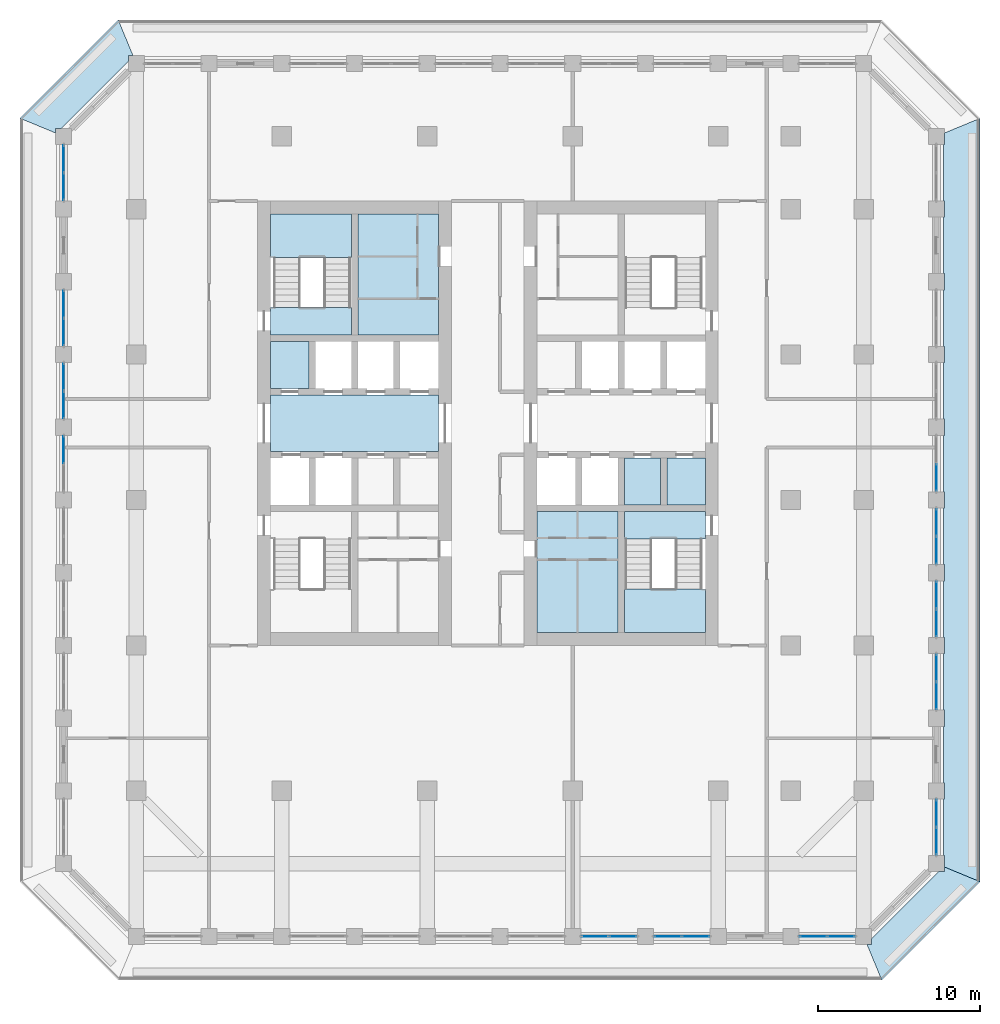
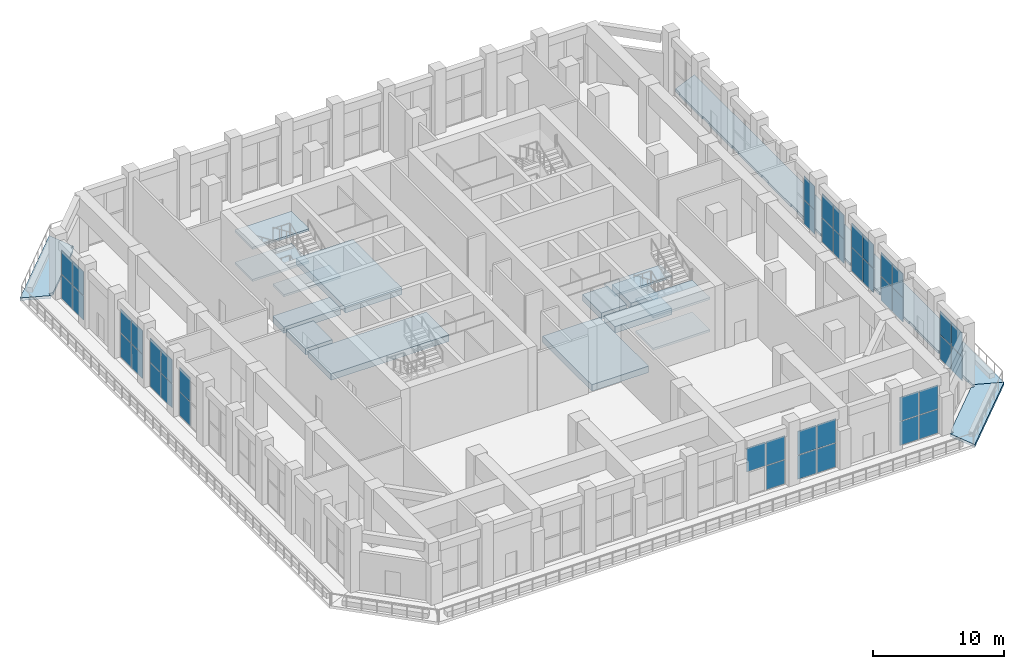
# One storey, part 11 of 25: 43 plates, 17 slabs, 14 elements without a shape of their own.
"""IFC4 building model written with IfcOpenShell, lengths in metres."""

from ifc_helpers import new_model, si_unit, direction, frame, origin, origin_2d, place, context, subcontext, project, spatial, polyline, rectangle, outline, extrude, material, layer, layer_set, type_object, element, aggregate, save


model = new_model("IFC4")

# Units and contexts
model_context = context("Model", 3, precision=1e-05, world=origin(), true_north=direction((0.0, 1.0)))
body_context = subcontext(model_context, "Body", "Model", "MODEL_VIEW")
ifc_project = project(units=[si_unit("LENGTHUNIT", "METRE"), si_unit("AREAUNIT", "SQUARE_METRE"), si_unit("VOLUMEUNIT", "CUBIC_METRE"), si_unit("PLANEANGLEUNIT", "RADIAN"), si_unit("MASSUNIT", "GRAM", prefix="KILO")], contexts=[model_context])

# Site, building, storey
site_placement = place(None, origin())
site = spatial("IfcSite", under=ifc_project, at=site_placement, CompositionType="ELEMENT")
building_placement = place(site_placement, origin())
building = spatial("IfcBuilding", under=site, at=building_placement, Name="Corbel Stack Research Tower", CompositionType="ELEMENT")
storey_placement = place(building_placement, frame((0.0, 0.0, 220.199951171875)))
storey = spatial("IfcBuildingStorey", under=building, at=storey_placement, Name="L50", CompositionType="ELEMENT", Elevation=220.199951171875)

# Curtain wall, plates
ifc_material_1 = material(Name="Aluminium frame, clear glass", Category="aluminium")
curtain_wall_type = type_object("IfcCurtainWallType", Name="Upper amenity floor curtain wall CW3", PredefinedType="NOTDEFINED", material=ifc_material_1)
curtain_wall_1_placement = place(storey_placement, origin())
curtain_wall_1 = element("IfcCurtainWall", 1, at=curtain_wall_1_placement, inside=storey, type_object=curtain_wall_type, Name="Curtain wall CW3 L50 S07", PredefinedType="NOTDEFINED")
ifc_material_2 = material(Name="Low-emissivity glass", Category="glass")
ifc_layer_1 = layer(ifc_material_2, 0.035888671875)
ifc_layer_set_1 = layer_set([ifc_layer_1], Name="Low-emissivity glass")
plate_type = type_object("IfcPlateType", Name="Low-emissivity glazing 36", PredefinedType="CURTAIN_PANEL", material=ifc_layer_set_1)
plate_1_placement = place(storey_placement, frame((10.389892578125, -27.0, 2.330078125), z_axis=(0.0, 0.0, 1.0), x_axis=(1.0, 0.0, 0.0)))
plate_1 = element("IfcPlate", 2, at=plate_1_placement, type_object=plate_type, Name="CW3 panel 1.2", PredefinedType="CURTAIN_PANEL", context=body_context, shape_type="SweptSolid", body=[
    extrude(rectangle(XDim=1.659912109375, YDim=0.035888671875, at=origin_2d()), origin(), (0.0, 0.0, 1.0), 2.2099609375),
])
plate_2_placement = place(storey_placement, frame((12.110107421875, -27.0, 0.06005859375), z_axis=(0.0, 0.0, 1.0), x_axis=(1.0, 0.0, 0.0)))
plate_2 = element("IfcPlate", 3, at=plate_2_placement, type_object=plate_type, Name="CW3 panel 2.1", PredefinedType="CURTAIN_PANEL", context=body_context, shape_type="SweptSolid", body=[
    extrude(rectangle(XDim=1.659912109375, YDim=0.035888671875, at=origin_2d()), origin(), (0.0, 0.0, 1.0), 2.2099609375),
])
plate_3_placement = place(storey_placement, frame((12.110107421875, -27.0, 2.330078125), z_axis=(0.0, 0.0, 1.0), x_axis=(1.0, 0.0, 0.0)))
plate_3 = element("IfcPlate", 4, at=plate_3_placement, type_object=plate_type, Name="CW3 panel 2.2", PredefinedType="CURTAIN_PANEL", context=body_context, shape_type="SweptSolid", body=[
    extrude(rectangle(XDim=1.659912109375, YDim=0.035888671875, at=origin_2d()), origin(), (0.0, 0.0, 1.0), 2.2099609375),
])
aggregate(curtain_wall_1, [plate_1, plate_2, plate_3])

curtain_wall_2_placement = place(storey_placement, origin())
curtain_wall_2 = element("IfcCurtainWall", 5, at=curtain_wall_2_placement, inside=storey, type_object=curtain_wall_type, Name="Curtain wall CW3 L50 S08", PredefinedType="NOTDEFINED")
plate_4_placement = place(storey_placement, frame((14.889892578125, -27.0, 0.06005859375), z_axis=(0.0, 0.0, 1.0), x_axis=(1.0, 0.0, 0.0)))
plate_4 = element("IfcPlate", 6, at=plate_4_placement, type_object=plate_type, Name="CW3 panel 1.1", PredefinedType="CURTAIN_PANEL", context=body_context, shape_type="SweptSolid", body=[
    extrude(rectangle(XDim=1.659912109375, YDim=0.035888671875, at=origin_2d()), origin(), (0.0, 0.0, 1.0), 2.2099609375),
])
plate_5_placement = place(storey_placement, frame((14.889892578125, -27.0, 2.330078125), z_axis=(0.0, 0.0, 1.0), x_axis=(1.0, 0.0, 0.0)))
plate_5 = element("IfcPlate", 7, at=plate_5_placement, type_object=plate_type, Name="CW3 panel 1.2", PredefinedType="CURTAIN_PANEL", context=body_context, shape_type="SweptSolid", body=[
    extrude(rectangle(XDim=1.659912109375, YDim=0.035888671875, at=origin_2d()), origin(), (0.0, 0.0, 1.0), 2.2099609375),
])
plate_6_placement = place(storey_placement, frame((16.610107421875, -27.0, 0.06005859375), z_axis=(0.0, 0.0, 1.0), x_axis=(1.0, 0.0, 0.0)))
plate_6 = element("IfcPlate", 8, at=plate_6_placement, type_object=plate_type, Name="CW3 panel 2.1", PredefinedType="CURTAIN_PANEL", context=body_context, shape_type="SweptSolid", body=[
    extrude(rectangle(XDim=1.659912109375, YDim=0.035888671875, at=origin_2d()), origin(), (0.0, 0.0, 1.0), 2.2099609375),
])
plate_7_placement = place(storey_placement, frame((16.610107421875, -27.0, 2.330078125), z_axis=(0.0, 0.0, 1.0), x_axis=(1.0, 0.0, 0.0)))
plate_7 = element("IfcPlate", 9, at=plate_7_placement, type_object=plate_type, Name="CW3 panel 2.2", PredefinedType="CURTAIN_PANEL", context=body_context, shape_type="SweptSolid", body=[
    extrude(rectangle(XDim=1.659912109375, YDim=0.035888671875, at=origin_2d()), origin(), (0.0, 0.0, 1.0), 2.2099609375),
])
aggregate(curtain_wall_2, [plate_4, plate_5, plate_6, plate_7])

curtain_wall_3_placement = place(storey_placement, origin())
curtain_wall_3 = element("IfcCurtainWall", 10, at=curtain_wall_3_placement, inside=storey, type_object=curtain_wall_type, Name="Curtain wall CW3 L50 S10", PredefinedType="NOTDEFINED")
plate_8_placement = place(storey_placement, frame((23.889892578125, -27.0, 0.06005859375), z_axis=(0.0, 0.0, 1.0), x_axis=(1.0, 0.0, 0.0)))
plate_8 = element("IfcPlate", 11, at=plate_8_placement, type_object=plate_type, Name="CW3 panel 1.1", PredefinedType="CURTAIN_PANEL", context=body_context, shape_type="SweptSolid", body=[
    extrude(rectangle(XDim=1.659912109375, YDim=0.035888671875, at=origin_2d()), origin(), (0.0, 0.0, 1.0), 2.2099609375),
])
plate_9_placement = place(storey_placement, frame((23.889892578125, -27.0, 2.330078125), z_axis=(0.0, 0.0, 1.0), x_axis=(1.0, 0.0, 0.0)))
plate_9 = element("IfcPlate", 12, at=plate_9_placement, type_object=plate_type, Name="CW3 panel 1.2", PredefinedType="CURTAIN_PANEL", context=body_context, shape_type="SweptSolid", body=[
    extrude(rectangle(XDim=1.659912109375, YDim=0.035888671875, at=origin_2d()), origin(), (0.0, 0.0, 1.0), 2.2099609375),
])
plate_10_placement = place(storey_placement, frame((25.610107421875, -27.0, 0.06005859375), z_axis=(0.0, 0.0, 1.0), x_axis=(1.0, 0.0, 0.0)))
plate_10 = element("IfcPlate", 13, at=plate_10_placement, type_object=plate_type, Name="CW3 panel 2.1", PredefinedType="CURTAIN_PANEL", context=body_context, shape_type="SweptSolid", body=[
    extrude(rectangle(XDim=1.659912109375, YDim=0.035888671875, at=origin_2d()), origin(), (0.0, 0.0, 1.0), 2.2099609375),
])
plate_11_placement = place(storey_placement, frame((25.610107421875, -27.0, 2.330078125), z_axis=(0.0, 0.0, 1.0), x_axis=(1.0, 0.0, 0.0)))
plate_11 = element("IfcPlate", 14, at=plate_11_placement, type_object=plate_type, Name="CW3 panel 2.2", PredefinedType="CURTAIN_PANEL", context=body_context, shape_type="SweptSolid", body=[
    extrude(rectangle(XDim=1.659912109375, YDim=0.035888671875, at=origin_2d()), origin(), (0.0, 0.0, 1.0), 2.2099609375),
])
aggregate(curtain_wall_3, [plate_8, plate_9, plate_10, plate_11])

curtain_wall_4_placement = place(storey_placement, origin())
curtain_wall_4 = element("IfcCurtainWall", 15, at=curtain_wall_4_placement, inside=storey, type_object=curtain_wall_type, Name="Curtain wall CW3 L50 E01", PredefinedType="NOTDEFINED")
plate_12_placement = place(storey_placement, frame((31.5, -21.110107421875, 0.06005859375), z_axis=(0.0, 0.0, 1.0), x_axis=(0.0, 1.0, 0.0)))
plate_12 = element("IfcPlate", 16, at=plate_12_placement, type_object=plate_type, Name="CW3 panel 1.1", PredefinedType="CURTAIN_PANEL", context=body_context, shape_type="SweptSolid", body=[
    extrude(rectangle(XDim=1.659912109375, YDim=0.035888671875, at=origin_2d()), origin(), (0.0, 0.0, 1.0), 2.2099609375),
])
plate_13_placement = place(storey_placement, frame((31.5, -21.110107421875, 2.330078125), z_axis=(0.0, 0.0, 1.0), x_axis=(0.0, 1.0, 0.0)))
plate_13 = element("IfcPlate", 17, at=plate_13_placement, type_object=plate_type, Name="CW3 panel 1.2", PredefinedType="CURTAIN_PANEL", context=body_context, shape_type="SweptSolid", body=[
    extrude(rectangle(XDim=1.659912109375, YDim=0.035888671875, at=origin_2d()), origin(), (0.0, 0.0, 1.0), 2.2099609375),
])
plate_14_placement = place(storey_placement, frame((31.5, -19.389892578125, 0.06005859375), z_axis=(0.0, 0.0, 1.0), x_axis=(0.0, 1.0, 0.0)))
plate_14 = element("IfcPlate", 18, at=plate_14_placement, type_object=plate_type, Name="CW3 panel 2.1", PredefinedType="CURTAIN_PANEL", context=body_context, shape_type="SweptSolid", body=[
    extrude(rectangle(XDim=1.659912109375, YDim=0.035888671875, at=origin_2d()), origin(), (0.0, 0.0, 1.0), 2.2099609375),
])
plate_15_placement = place(storey_placement, frame((31.5, -19.389892578125, 2.330078125), z_axis=(0.0, 0.0, 1.0), x_axis=(0.0, 1.0, 0.0)))
plate_15 = element("IfcPlate", 19, at=plate_15_placement, type_object=plate_type, Name="CW3 panel 2.2", PredefinedType="CURTAIN_PANEL", context=body_context, shape_type="SweptSolid", body=[
    extrude(rectangle(XDim=1.659912109375, YDim=0.035888671875, at=origin_2d()), origin(), (0.0, 0.0, 1.0), 2.2099609375),
])
aggregate(curtain_wall_4, [plate_12, plate_13, plate_14, plate_15])

curtain_wall_5_placement = place(storey_placement, origin())
curtain_wall_5 = element("IfcCurtainWall", 20, at=curtain_wall_5_placement, inside=storey, type_object=curtain_wall_type, Name="Curtain wall CW3 L50 E03", PredefinedType="NOTDEFINED")
plate_16_placement = place(storey_placement, frame((31.5, -12.110107421875, 0.06005859375), z_axis=(0.0, 0.0, 1.0), x_axis=(0.0, 1.0, 0.0)))
plate_16 = element("IfcPlate", 21, at=plate_16_placement, type_object=plate_type, Name="CW3 panel 1.1", PredefinedType="CURTAIN_PANEL", context=body_context, shape_type="SweptSolid", body=[
    extrude(rectangle(XDim=1.659912109375, YDim=0.035888671875, at=origin_2d()), origin(), (0.0, 0.0, 1.0), 2.2099609375),
])
plate_17_placement = place(storey_placement, frame((31.5, -12.110107421875, 2.330078125), z_axis=(0.0, 0.0, 1.0), x_axis=(0.0, 1.0, 0.0)))
plate_17 = element("IfcPlate", 22, at=plate_17_placement, type_object=plate_type, Name="CW3 panel 1.2", PredefinedType="CURTAIN_PANEL", context=body_context, shape_type="SweptSolid", body=[
    extrude(rectangle(XDim=1.659912109375, YDim=0.035888671875, at=origin_2d()), origin(), (0.0, 0.0, 1.0), 2.2099609375),
])
plate_18_placement = place(storey_placement, frame((31.5, -10.389892578125, 0.06005859375), z_axis=(0.0, 0.0, 1.0), x_axis=(0.0, 1.0, 0.0)))
plate_18 = element("IfcPlate", 23, at=plate_18_placement, type_object=plate_type, Name="CW3 panel 2.1", PredefinedType="CURTAIN_PANEL", context=body_context, shape_type="SweptSolid", body=[
    extrude(rectangle(XDim=1.659912109375, YDim=0.035888671875, at=origin_2d()), origin(), (0.0, 0.0, 1.0), 2.2099609375),
])
plate_19_placement = place(storey_placement, frame((31.5, -10.389892578125, 2.330078125), z_axis=(0.0, 0.0, 1.0), x_axis=(0.0, 1.0, 0.0)))
plate_19 = element("IfcPlate", 24, at=plate_19_placement, type_object=plate_type, Name="CW3 panel 2.2", PredefinedType="CURTAIN_PANEL", context=body_context, shape_type="SweptSolid", body=[
    extrude(rectangle(XDim=1.659912109375, YDim=0.035888671875, at=origin_2d()), origin(), (0.0, 0.0, 1.0), 2.2099609375),
])
aggregate(curtain_wall_5, [plate_16, plate_17, plate_18, plate_19])

curtain_wall_6_placement = place(storey_placement, origin())
curtain_wall_6 = element("IfcCurtainWall", 25, at=curtain_wall_6_placement, inside=storey, type_object=curtain_wall_type, Name="Curtain wall CW3 L50 E04", PredefinedType="NOTDEFINED")
plate_20_placement = place(storey_placement, frame((31.5, -7.610107421875, 0.06005859375), z_axis=(0.0, 0.0, 1.0), x_axis=(0.0, 1.0, 0.0)))
plate_20 = element("IfcPlate", 26, at=plate_20_placement, type_object=plate_type, Name="CW3 panel 1.1", PredefinedType="CURTAIN_PANEL", context=body_context, shape_type="SweptSolid", body=[
    extrude(rectangle(XDim=1.659912109375, YDim=0.035888671875, at=origin_2d()), origin(), (0.0, 0.0, 1.0), 2.2099609375),
])
plate_21_placement = place(storey_placement, frame((31.5, -7.610107421875, 2.330078125), z_axis=(0.0, 0.0, 1.0), x_axis=(0.0, 1.0, 0.0)))
plate_21 = element("IfcPlate", 27, at=plate_21_placement, type_object=plate_type, Name="CW3 panel 1.2", PredefinedType="CURTAIN_PANEL", context=body_context, shape_type="SweptSolid", body=[
    extrude(rectangle(XDim=1.659912109375, YDim=0.035888671875, at=origin_2d()), origin(), (0.0, 0.0, 1.0), 2.2099609375),
])
plate_22_placement = place(storey_placement, frame((31.5, -5.889892578125, 0.06005859375), z_axis=(0.0, 0.0, 1.0), x_axis=(0.0, 1.0, 0.0)))
plate_22 = element("IfcPlate", 28, at=plate_22_placement, type_object=plate_type, Name="CW3 panel 2.1", PredefinedType="CURTAIN_PANEL", context=body_context, shape_type="SweptSolid", body=[
    extrude(rectangle(XDim=1.659912109375, YDim=0.035888671875, at=origin_2d()), origin(), (0.0, 0.0, 1.0), 2.2099609375),
])
plate_23_placement = place(storey_placement, frame((31.5, -5.889892578125, 2.330078125), z_axis=(0.0, 0.0, 1.0), x_axis=(0.0, 1.0, 0.0)))
plate_23 = element("IfcPlate", 29, at=plate_23_placement, type_object=plate_type, Name="CW3 panel 2.2", PredefinedType="CURTAIN_PANEL", context=body_context, shape_type="SweptSolid", body=[
    extrude(rectangle(XDim=1.659912109375, YDim=0.035888671875, at=origin_2d()), origin(), (0.0, 0.0, 1.0), 2.2099609375),
])
aggregate(curtain_wall_6, [plate_20, plate_21, plate_22, plate_23])

curtain_wall_7_placement = place(storey_placement, origin())
curtain_wall_7 = element("IfcCurtainWall", 30, at=curtain_wall_7_placement, inside=storey, type_object=curtain_wall_type, Name="Curtain wall CW3 L50 E05", PredefinedType="NOTDEFINED")
plate_24_placement = place(storey_placement, frame((31.5, -3.110107421875, 0.06005859375), z_axis=(0.0, 0.0, 1.0), x_axis=(0.0, 1.0, 0.0)))
plate_24 = element("IfcPlate", 31, at=plate_24_placement, type_object=plate_type, Name="CW3 panel 1.1", PredefinedType="CURTAIN_PANEL", context=body_context, shape_type="SweptSolid", body=[
    extrude(rectangle(XDim=1.659912109375, YDim=0.035888671875, at=origin_2d()), origin(), (0.0, 0.0, 1.0), 2.2099609375),
])
plate_25_placement = place(storey_placement, frame((31.5, -3.110107421875, 2.330078125), z_axis=(0.0, 0.0, 1.0), x_axis=(0.0, 1.0, 0.0)))
plate_25 = element("IfcPlate", 32, at=plate_25_placement, type_object=plate_type, Name="CW3 panel 1.2", PredefinedType="CURTAIN_PANEL", context=body_context, shape_type="SweptSolid", body=[
    extrude(rectangle(XDim=1.659912109375, YDim=0.035888671875, at=origin_2d()), origin(), (0.0, 0.0, 1.0), 2.2099609375),
])
plate_26_placement = place(storey_placement, frame((31.5, -1.389892578125, 0.06005859375), z_axis=(0.0, 0.0, 1.0), x_axis=(0.0, 1.0, 0.0)))
plate_26 = element("IfcPlate", 33, at=plate_26_placement, type_object=plate_type, Name="CW3 panel 2.1", PredefinedType="CURTAIN_PANEL", context=body_context, shape_type="SweptSolid", body=[
    extrude(rectangle(XDim=1.659912109375, YDim=0.035888671875, at=origin_2d()), origin(), (0.0, 0.0, 1.0), 2.2099609375),
])
plate_27_placement = place(storey_placement, frame((31.5, -1.389892578125, 2.330078125), z_axis=(0.0, 0.0, 1.0), x_axis=(0.0, 1.0, 0.0)))
plate_27 = element("IfcPlate", 34, at=plate_27_placement, type_object=plate_type, Name="CW3 panel 2.2", PredefinedType="CURTAIN_PANEL", context=body_context, shape_type="SweptSolid", body=[
    extrude(rectangle(XDim=1.659912109375, YDim=0.035888671875, at=origin_2d()), origin(), (0.0, 0.0, 1.0), 2.2099609375),
])
aggregate(curtain_wall_7, [plate_24, plate_25, plate_26, plate_27])

curtain_wall_8_placement = place(storey_placement, origin())
curtain_wall_8 = element("IfcCurtainWall", 35, at=curtain_wall_8_placement, inside=storey, type_object=curtain_wall_type, Name="Curtain wall CW3 L50 E06", PredefinedType="NOTDEFINED")
plate_28_placement = place(storey_placement, frame((31.5, 1.389892578125, 0.06005859375), z_axis=(0.0, 0.0, 1.0), x_axis=(0.0, 1.0, 0.0)))
plate_28 = element("IfcPlate", 36, at=plate_28_placement, type_object=plate_type, Name="CW3 panel 1.1", PredefinedType="CURTAIN_PANEL", context=body_context, shape_type="SweptSolid", body=[
    extrude(rectangle(XDim=1.659912109375, YDim=0.035888671875, at=origin_2d()), origin(), (0.0, 0.0, 1.0), 2.2099609375),
])
plate_29_placement = place(storey_placement, frame((31.5, 1.389892578125, 2.330078125), z_axis=(0.0, 0.0, 1.0), x_axis=(0.0, 1.0, 0.0)))
plate_29 = element("IfcPlate", 37, at=plate_29_placement, type_object=plate_type, Name="CW3 panel 1.2", PredefinedType="CURTAIN_PANEL", context=body_context, shape_type="SweptSolid", body=[
    extrude(rectangle(XDim=1.659912109375, YDim=0.035888671875, at=origin_2d()), origin(), (0.0, 0.0, 1.0), 2.2099609375),
])
aggregate(curtain_wall_8, [plate_28, plate_29])

curtain_wall_9_placement = place(storey_placement, origin())
curtain_wall_9 = element("IfcCurtainWall", 38, at=curtain_wall_9_placement, inside=storey, type_object=curtain_wall_type, Name="Curtain wall CW3 L50 W01", PredefinedType="NOTDEFINED")
plate_30_placement = place(storey_placement, frame((-22.5, 21.110107421875, 0.06005859375), z_axis=(0.0, 0.0, 1.0), x_axis=(0.0, -1.0, 0.0)))
plate_30 = element("IfcPlate", 39, at=plate_30_placement, type_object=plate_type, Name="CW3 panel 1.1", PredefinedType="CURTAIN_PANEL", context=body_context, shape_type="SweptSolid", body=[
    extrude(rectangle(XDim=1.659912109375, YDim=0.035888671875, at=origin_2d()), origin(), (0.0, 0.0, 1.0), 2.2099609375),
])
plate_31_placement = place(storey_placement, frame((-22.5, 21.110107421875, 2.330078125), z_axis=(0.0, 0.0, 1.0), x_axis=(0.0, -1.0, 0.0)))
plate_31 = element("IfcPlate", 40, at=plate_31_placement, type_object=plate_type, Name="CW3 panel 1.2", PredefinedType="CURTAIN_PANEL", context=body_context, shape_type="SweptSolid", body=[
    extrude(rectangle(XDim=1.659912109375, YDim=0.035888671875, at=origin_2d()), origin(), (0.0, 0.0, 1.0), 2.2099609375),
])
plate_32_placement = place(storey_placement, frame((-22.5, 19.389892578125, 0.06005859375), z_axis=(0.0, 0.0, 1.0), x_axis=(0.0, -1.0, 0.0)))
plate_32 = element("IfcPlate", 41, at=plate_32_placement, type_object=plate_type, Name="CW3 panel 2.1", PredefinedType="CURTAIN_PANEL", context=body_context, shape_type="SweptSolid", body=[
    extrude(rectangle(XDim=1.659912109375, YDim=0.035888671875, at=origin_2d()), origin(), (0.0, 0.0, 1.0), 2.2099609375),
])
plate_33_placement = place(storey_placement, frame((-22.5, 19.389892578125, 2.330078125), z_axis=(0.0, 0.0, 1.0), x_axis=(0.0, -1.0, 0.0)))
plate_33 = element("IfcPlate", 42, at=plate_33_placement, type_object=plate_type, Name="CW3 panel 2.2", PredefinedType="CURTAIN_PANEL", context=body_context, shape_type="SweptSolid", body=[
    extrude(rectangle(XDim=1.659912109375, YDim=0.035888671875, at=origin_2d()), origin(), (0.0, 0.0, 1.0), 2.2099609375),
])
aggregate(curtain_wall_9, [plate_30, plate_31, plate_32, plate_33])

curtain_wall_10_placement = place(storey_placement, origin())
curtain_wall_10 = element("IfcCurtainWall", 43, at=curtain_wall_10_placement, inside=storey, type_object=curtain_wall_type, Name="Curtain wall CW3 L50 W03", PredefinedType="NOTDEFINED")
plate_34_placement = place(storey_placement, frame((-22.5, 12.110107421875, 0.06005859375), z_axis=(0.0, 0.0, 1.0), x_axis=(0.0, -1.0, 0.0)))
plate_34 = element("IfcPlate", 44, at=plate_34_placement, type_object=plate_type, Name="CW3 panel 1.1", PredefinedType="CURTAIN_PANEL", context=body_context, shape_type="SweptSolid", body=[
    extrude(rectangle(XDim=1.659912109375, YDim=0.035888671875, at=origin_2d()), origin(), (0.0, 0.0, 1.0), 2.2099609375),
])
plate_35_placement = place(storey_placement, frame((-22.5, 12.110107421875, 2.330078125), z_axis=(0.0, 0.0, 1.0), x_axis=(0.0, -1.0, 0.0)))
plate_35 = element("IfcPlate", 45, at=plate_35_placement, type_object=plate_type, Name="CW3 panel 1.2", PredefinedType="CURTAIN_PANEL", context=body_context, shape_type="SweptSolid", body=[
    extrude(rectangle(XDim=1.659912109375, YDim=0.035888671875, at=origin_2d()), origin(), (0.0, 0.0, 1.0), 2.2099609375),
])
plate_36_placement = place(storey_placement, frame((-22.5, 10.389892578125, 0.06005859375), z_axis=(0.0, 0.0, 1.0), x_axis=(0.0, -1.0, 0.0)))
plate_36 = element("IfcPlate", 46, at=plate_36_placement, type_object=plate_type, Name="CW3 panel 2.1", PredefinedType="CURTAIN_PANEL", context=body_context, shape_type="SweptSolid", body=[
    extrude(rectangle(XDim=1.659912109375, YDim=0.035888671875, at=origin_2d()), origin(), (0.0, 0.0, 1.0), 2.2099609375),
])
plate_37_placement = place(storey_placement, frame((-22.5, 10.389892578125, 2.330078125), z_axis=(0.0, 0.0, 1.0), x_axis=(0.0, -1.0, 0.0)))
plate_37 = element("IfcPlate", 47, at=plate_37_placement, type_object=plate_type, Name="CW3 panel 2.2", PredefinedType="CURTAIN_PANEL", context=body_context, shape_type="SweptSolid", body=[
    extrude(rectangle(XDim=1.659912109375, YDim=0.035888671875, at=origin_2d()), origin(), (0.0, 0.0, 1.0), 2.2099609375),
])
aggregate(curtain_wall_10, [plate_34, plate_35, plate_36, plate_37])

curtain_wall_11_placement = place(storey_placement, origin())
curtain_wall_11 = element("IfcCurtainWall", 48, at=curtain_wall_11_placement, inside=storey, type_object=curtain_wall_type, Name="Curtain wall CW3 L50 W04", PredefinedType="NOTDEFINED")
plate_38_placement = place(storey_placement, frame((-22.5, 7.610107421875, 0.06005859375), z_axis=(0.0, 0.0, 1.0), x_axis=(0.0, -1.0, 0.0)))
plate_38 = element("IfcPlate", 49, at=plate_38_placement, type_object=plate_type, Name="CW3 panel 1.1", PredefinedType="CURTAIN_PANEL", context=body_context, shape_type="SweptSolid", body=[
    extrude(rectangle(XDim=1.659912109375, YDim=0.035888671875, at=origin_2d()), origin(), (0.0, 0.0, 1.0), 2.2099609375),
])
plate_39_placement = place(storey_placement, frame((-22.5, 7.610107421875, 2.330078125), z_axis=(0.0, 0.0, 1.0), x_axis=(0.0, -1.0, 0.0)))
plate_39 = element("IfcPlate", 50, at=plate_39_placement, type_object=plate_type, Name="CW3 panel 1.2", PredefinedType="CURTAIN_PANEL", context=body_context, shape_type="SweptSolid", body=[
    extrude(rectangle(XDim=1.659912109375, YDim=0.035888671875, at=origin_2d()), origin(), (0.0, 0.0, 1.0), 2.2099609375),
])
plate_40_placement = place(storey_placement, frame((-22.5, 5.889892578125, 0.06005859375), z_axis=(0.0, 0.0, 1.0), x_axis=(0.0, -1.0, 0.0)))
plate_40 = element("IfcPlate", 51, at=plate_40_placement, type_object=plate_type, Name="CW3 panel 2.1", PredefinedType="CURTAIN_PANEL", context=body_context, shape_type="SweptSolid", body=[
    extrude(rectangle(XDim=1.659912109375, YDim=0.035888671875, at=origin_2d()), origin(), (0.0, 0.0, 1.0), 2.2099609375),
])
plate_41_placement = place(storey_placement, frame((-22.5, 5.889892578125, 2.330078125), z_axis=(0.0, 0.0, 1.0), x_axis=(0.0, -1.0, 0.0)))
plate_41 = element("IfcPlate", 52, at=plate_41_placement, type_object=plate_type, Name="CW3 panel 2.2", PredefinedType="CURTAIN_PANEL", context=body_context, shape_type="SweptSolid", body=[
    extrude(rectangle(XDim=1.659912109375, YDim=0.035888671875, at=origin_2d()), origin(), (0.0, 0.0, 1.0), 2.2099609375),
])
aggregate(curtain_wall_11, [plate_38, plate_39, plate_40, plate_41])

curtain_wall_12_placement = place(storey_placement, origin())
curtain_wall_12 = element("IfcCurtainWall", 53, at=curtain_wall_12_placement, inside=storey, type_object=curtain_wall_type, Name="Curtain wall CW3 L50 W05", PredefinedType="NOTDEFINED")
plate_42_placement = place(storey_placement, frame((-22.5, 3.110107421875, 0.06005859375), z_axis=(0.0, 0.0, 1.0), x_axis=(0.0, -1.0, 0.0)))
plate_42 = element("IfcPlate", 54, at=plate_42_placement, type_object=plate_type, Name="CW3 panel 1.1", PredefinedType="CURTAIN_PANEL", context=body_context, shape_type="SweptSolid", body=[
    extrude(rectangle(XDim=1.659912109375, YDim=0.035888671875, at=origin_2d()), origin(), (0.0, 0.0, 1.0), 2.2099609375),
])
plate_43_placement = place(storey_placement, frame((-22.5, 3.110107421875, 2.330078125), z_axis=(0.0, 0.0, 1.0), x_axis=(0.0, -1.0, 0.0)))
plate_43 = element("IfcPlate", 55, at=plate_43_placement, type_object=plate_type, Name="CW3 panel 1.2", PredefinedType="CURTAIN_PANEL", context=body_context, shape_type="SweptSolid", body=[
    extrude(rectangle(XDim=1.659912109375, YDim=0.035888671875, at=origin_2d()), origin(), (0.0, 0.0, 1.0), 2.2099609375),
])
aggregate(curtain_wall_12, [plate_42, plate_43])

# Slabs
ifc_material_3 = material(Name="Concrete C45/55", Category="concrete")
ifc_layer_2 = layer(ifc_material_3, 0.25)
ifc_layer_set_2 = layer_set([ifc_layer_2], Name="Concrete C45/55")
slab_type_1 = type_object("IfcSlabType", Name="PT balcony slab 250 C45/55", PredefinedType="FLOOR", material=ifc_layer_set_2)
slab_1_placement = place(storey_placement, frame((0.0, 0.0, -0.25)))
element("IfcSlab", 56, at=slab_1_placement, inside=storey, type_object=slab_type_1, Name="Loggia slab L50 SE", PredefinedType="FLOOR", context=body_context, shape_type="SweptSolid", body=[
    extrude(outline(polyline([(32.0, -22.70703125), (32.0, -23.0), (31.636474609375, -23.0), (27.5, -27.136474609375), (27.5, -27.5), (27.20703125, -27.5), (28.118408203125, -29.699951171875), (34.199951171875, -23.618408203125), (32.0, -22.70703125)])), origin(), (0.0, 0.0, 1.0), 0.25),
])
slab_2_placement = place(storey_placement, frame((0.0, 0.0, -0.25)))
element("IfcSlab", 57, at=slab_2_placement, inside=storey, type_object=slab_type_1, Name="Loggia slab L50 E", PredefinedType="FLOOR", context=body_context, shape_type="SweptSolid", body=[
    extrude(outline(polyline([(32.0, 22.70703125), (32.0, 22.0), (31.949951171875, 22.0), (31.949951171875, 18.5), (32.0, 18.5), (32.0, 17.5), (31.949951171875, 17.5), (31.949951171875, 14.0), (32.0, 14.0), (32.0, 13.0), (31.949951171875, 13.0), (31.949951171875, 9.5), (32.0, 9.5), (32.0, 8.5), (31.949951171875, 8.5), (31.949951171875, 5.0), (32.0, 5.0), (32.0, 4.0), (31.949951171875, 4.0), (31.949951171875, 0.5), (32.0, 0.5), (32.0, -0.5), (31.949951171875, -0.5), (31.949951171875, -4.0), (32.0, -4.0), (32.0, -5.0), (31.949951171875, -5.0), (31.949951171875, -8.5), (32.0, -8.5), (32.0, -9.5), (31.949951171875, -9.5), (31.949951171875, -13.0), (32.0, -13.0), (32.0, -14.0), (31.949951171875, -14.0), (31.949951171875, -17.5), (32.0, -17.5), (32.0, -18.5), (31.949951171875, -18.5), (31.949951171875, -22.0), (32.0, -22.0), (32.0, -22.70703125), (34.199951171875, -23.618408203125), (34.199951171875, 23.618408203125), (32.0, 22.70703125)])), origin(), (0.0, 0.0, 1.0), 0.25),
])
slab_3_placement = place(storey_placement, frame((0.0, 0.0, -0.25)))
element("IfcSlab", 58, at=slab_3_placement, inside=storey, type_object=slab_type_1, Name="Loggia slab L50 NW", PredefinedType="FLOOR", context=body_context, shape_type="SweptSolid", body=[
    extrude(outline(polyline([(-23.0, 22.70703125), (-23.0, 23.0), (-22.636474609375, 23.0), (-18.5, 27.136474609375), (-18.5, 27.5), (-18.20703125, 27.5), (-19.118408203125, 29.699951171875), (-25.199951171875, 23.618408203125), (-23.0, 22.70703125)])), origin(), (0.0, 0.0, 1.0), 0.25),
])
ifc_material_4 = material(Name="Concrete C45/55", Category="concrete")
ifc_layer_3 = layer(ifc_material_4, 0.60009765625)
ifc_layer_set_3 = layer_set([ifc_layer_3], Name="Concrete C45/55")
slab_type_2 = type_object("IfcSlabType", Name="PT-600", PredefinedType="FLOOR", material=ifc_layer_set_3)
slab_4_placement = place(storey_placement, frame((0.0, 0.0, -0.599853515625)))
element("IfcSlab", 59, at=slab_4_placement, inside=storey, type_object=slab_type_2, Name="West core floor L50", PredefinedType="FLOOR", context=body_context, shape_type="SweptSolid", body=[
    extrude(outline(polyline([(0.699951171875, 6.5), (-9.699951171875, 6.5), (-9.699951171875, 3.0), (0.699951171875, 3.0), (0.699951171875, 6.5)])), origin(), (0.0, 0.0, 1.0), 0.599853515625),
])
slab_5_placement = place(storey_placement, frame((0.0, 0.0, -0.599853515625)))
element("IfcSlab", 60, at=slab_5_placement, inside=storey, type_object=slab_type_2, Name="West core floor L50", PredefinedType="FLOOR", context=body_context, shape_type="SweptSolid", body=[
    extrude(outline(polyline([(-9.699951171875, 6.89990234375), (-7.324951171875, 6.89990234375), (-7.324951171875, 9.800048828125), (-9.699951171875, 9.800048828125), (-9.699951171875, 6.89990234375)])), origin(), (0.0, 0.0, 1.0), 0.599853515625),
])
slab_6_placement = place(storey_placement, frame((0.0, 0.0, -0.599853515625)))
element("IfcSlab", 61, at=slab_6_placement, inside=storey, type_object=slab_type_2, Name="West core floor L50", PredefinedType="FLOOR", context=body_context, shape_type="SweptSolid", body=[
    extrude(outline(polyline([(0.699951171875, 17.699951171875), (-4.300048828125, 17.699951171875), (-4.300048828125, 10.199951171875), (0.699951171875, 10.199951171875), (0.699951171875, 17.699951171875)])), origin(), (0.0, 0.0, 1.0), 0.599853515625),
])
slab_7_placement = place(storey_placement, frame((0.0, 0.0, -0.599853515625)))
element("IfcSlab", 62, at=slab_7_placement, inside=storey, type_object=slab_type_2, Name="East core floor L50", PredefinedType="FLOOR", context=body_context, shape_type="SweptSolid", body=[
    extrude(outline(polyline([(6.800048828125, -0.699951171875), (6.800048828125, -8.199951171875), (11.800048828125, -8.199951171875), (11.800048828125, -0.699951171875), (6.800048828125, -0.699951171875)])), origin(), (0.0, 0.0, 1.0), 0.599853515625),
])
slab_8_placement = place(storey_placement, frame((0.0, 0.0, -0.599853515625)))
element("IfcSlab", 63, at=slab_8_placement, inside=storey, type_object=slab_type_2, Name="East core floor L50", PredefinedType="FLOOR", context=body_context, shape_type="SweptSolid", body=[
    extrude(outline(polyline([(14.425048828125, -0.300048828125), (14.425048828125, 2.60009765625), (12.199951171875, 2.60009765625), (12.199951171875, -0.300048828125), (14.425048828125, -0.300048828125)])), origin(), (0.0, 0.0, 1.0), 0.599853515625),
])
slab_9_placement = place(storey_placement, frame((0.0, 0.0, -0.599853515625)))
element("IfcSlab", 64, at=slab_9_placement, inside=storey, type_object=slab_type_2, Name="East core floor L50", PredefinedType="FLOOR", context=body_context, shape_type="SweptSolid", body=[
    extrude(outline(polyline([(17.199951171875, -0.300048828125), (17.199951171875, 2.60009765625), (14.824951171875, 2.60009765625), (14.824951171875, -0.300048828125), (17.199951171875, -0.300048828125)])), origin(), (0.0, 0.0, 1.0), 0.599853515625),
])
slab_10_placement = place(storey_placement, frame((0.0, 0.0, -0.599853515625)))
element("IfcSlab", 65, at=slab_10_placement, inside=storey, type_object=slab_type_2, Name="Stair floor landing ST-W2", PredefinedType="FLOOR", context=body_context, shape_type="SweptSolid", body=[
    extrude(outline(polyline([(-9.699951171875, 10.199951171875), (-4.699951171875, 10.199951171875), (-4.699951171875, 11.89990234375), (-9.699951171875, 11.89990234375), (-9.699951171875, 10.199951171875)])), origin(), (0.0, 0.0, 1.0), 0.599853515625),
])
slab_11_placement = place(storey_placement, frame((0.0, 0.0, -0.599853515625)))
element("IfcSlab", 66, at=slab_11_placement, inside=storey, type_object=slab_type_2, Name="Stair floor landing ST-E1", PredefinedType="FLOOR", context=body_context, shape_type="SweptSolid", body=[
    extrude(outline(polyline([(12.199951171875, -2.39990234375), (17.199951171875, -2.39990234375), (17.199951171875, -0.699951171875), (12.199951171875, -0.699951171875), (12.199951171875, -2.39990234375)])), origin(), (0.0, 0.0, 1.0), 0.599853515625),
])

# Stair, slabs
ifc_material_5 = material(Name="Concrete C40/50", Category="concrete")
stair_type = type_object("IfcStairType", Name="Exit stair 36 risers, 388 going", PredefinedType="HALF_TURN_STAIR", material=ifc_material_5)
stair_1_placement = place(storey_placement, origin())
stair_1 = element("IfcStair", 67, at=stair_1_placement, inside=storey, type_object=stair_type, Name="L50 Exit stair ST-W2", PredefinedType="HALF_TURN_STAIR")
ifc_material_6 = material(Name="Concrete C40/50", Category="concrete")
ifc_layer_4 = layer(ifc_material_6, 0.199951171875)
ifc_layer_set_4 = layer_set([ifc_layer_4], Name="Concrete C40/50")
slab_type_3 = type_object("IfcSlabType", Name="Stair landing 200 C40/50", PredefinedType="LANDING", material=ifc_layer_set_4)
slab_12_placement = place(storey_placement, frame((0.0, 0.0, 1.300048828125)))
slab_12 = element("IfcSlab", 68, at=slab_12_placement, type_object=slab_type_3, Name="ST-W2 landing 1", PredefinedType="LANDING", context=body_context, shape_type="SweptSolid", body=[
    extrude(outline(polyline([(-9.699951171875, 15.00390625), (-9.699951171875, 17.699951171875), (-4.699951171875, 17.699951171875), (-4.699951171875, 15.00390625), (-9.699951171875, 15.00390625)])), origin(), (0.0, 0.0, 1.0), 0.199951171875),
])
slab_13_placement = place(storey_placement, frame((0.0, 0.0, 2.800048828125)))
slab_13 = element("IfcSlab", 69, at=slab_13_placement, type_object=slab_type_3, Name="ST-W2 landing 2", PredefinedType="LANDING", context=body_context, shape_type="SweptSolid", body=[
    extrude(outline(polyline([(-9.699951171875, 10.199951171875), (-9.699951171875, 11.89990234375), (-4.699951171875, 11.89990234375), (-4.699951171875, 10.199951171875), (-9.699951171875, 10.199951171875)])), origin(), (0.0, 0.0, 1.0), 0.199951171875),
])
slab_14_placement = place(storey_placement, frame((0.0, 0.0, 4.300048828125)))
slab_14 = element("IfcSlab", 70, at=slab_14_placement, type_object=slab_type_3, Name="ST-W2 landing 3", PredefinedType="LANDING", context=body_context, shape_type="SweptSolid", body=[
    extrude(outline(polyline([(-9.699951171875, 15.00390625), (-9.699951171875, 17.699951171875), (-4.699951171875, 17.699951171875), (-4.699951171875, 15.00390625), (-9.699951171875, 15.00390625)])), origin(), (0.0, 0.0, 1.0), 0.199951171875),
])
aggregate(stair_1, [slab_12, slab_13, slab_14])

stair_2_placement = place(storey_placement, origin())
stair_2 = element("IfcStair", 71, at=stair_2_placement, inside=storey, type_object=stair_type, Name="L50 Exit stair ST-E1", PredefinedType="HALF_TURN_STAIR")
slab_15_placement = place(storey_placement, frame((0.0, 0.0, 1.300048828125)))
slab_15 = element("IfcSlab", 72, at=slab_15_placement, type_object=slab_type_3, Name="ST-E1 landing 1", PredefinedType="LANDING", context=body_context, shape_type="SweptSolid", body=[
    extrude(outline(polyline([(12.199951171875, -8.199951171875), (12.199951171875, -5.50390625), (17.199951171875, -5.50390625), (17.199951171875, -8.199951171875), (12.199951171875, -8.199951171875)])), origin(), (0.0, 0.0, 1.0), 0.199951171875),
])
slab_16_placement = place(storey_placement, frame((0.0, 0.0, 2.800048828125)))
slab_16 = element("IfcSlab", 73, at=slab_16_placement, type_object=slab_type_3, Name="ST-E1 landing 2", PredefinedType="LANDING", context=body_context, shape_type="SweptSolid", body=[
    extrude(outline(polyline([(12.199951171875, -2.39990234375), (12.199951171875, -0.699951171875), (17.199951171875, -0.699951171875), (17.199951171875, -2.39990234375), (12.199951171875, -2.39990234375)])), origin(), (0.0, 0.0, 1.0), 0.199951171875),
])
slab_17_placement = place(storey_placement, frame((0.0, 0.0, 4.300048828125)))
slab_17 = element("IfcSlab", 74, at=slab_17_placement, type_object=slab_type_3, Name="ST-E1 landing 3", PredefinedType="LANDING", context=body_context, shape_type="SweptSolid", body=[
    extrude(outline(polyline([(12.199951171875, -8.199951171875), (12.199951171875, -5.50390625), (17.199951171875, -5.50390625), (17.199951171875, -8.199951171875), (12.199951171875, -8.199951171875)])), origin(), (0.0, 0.0, 1.0), 0.199951171875),
])
aggregate(stair_2, [slab_15, slab_16, slab_17])

save(model, "model.ifc")
